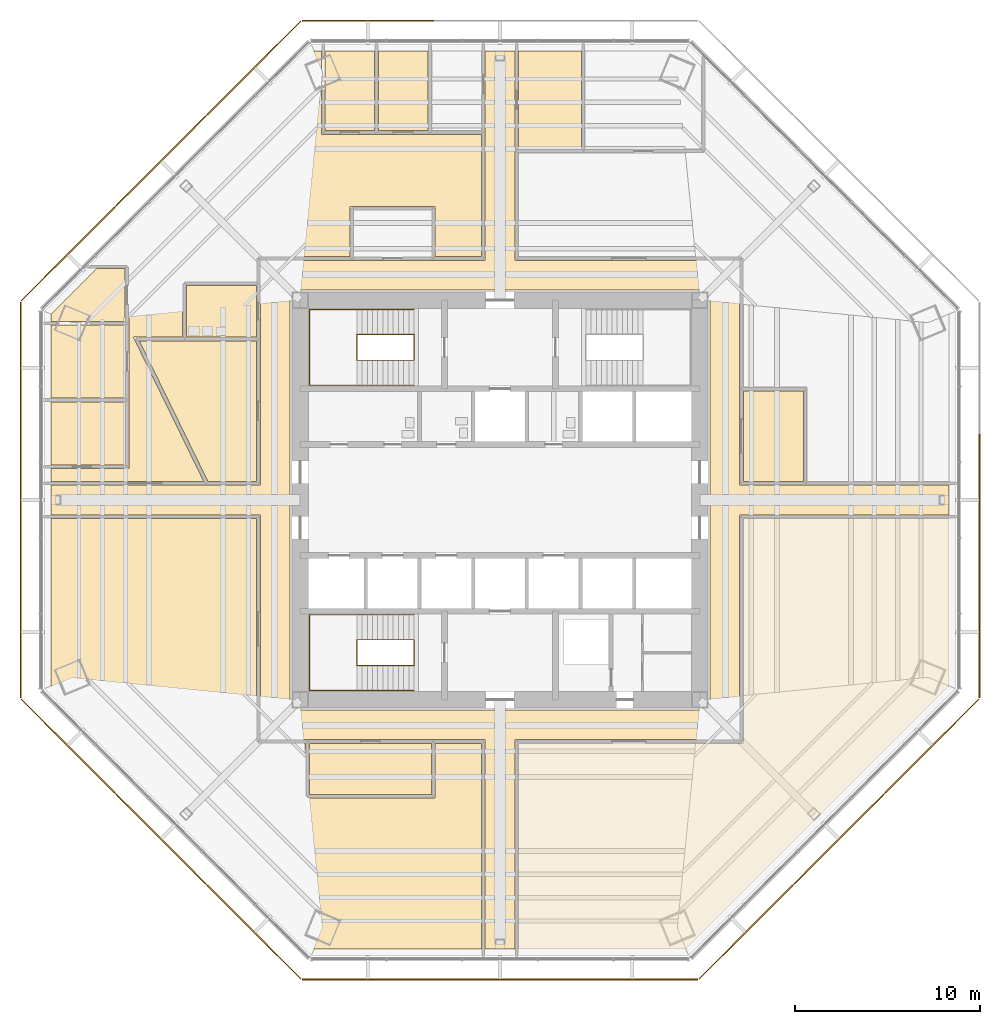
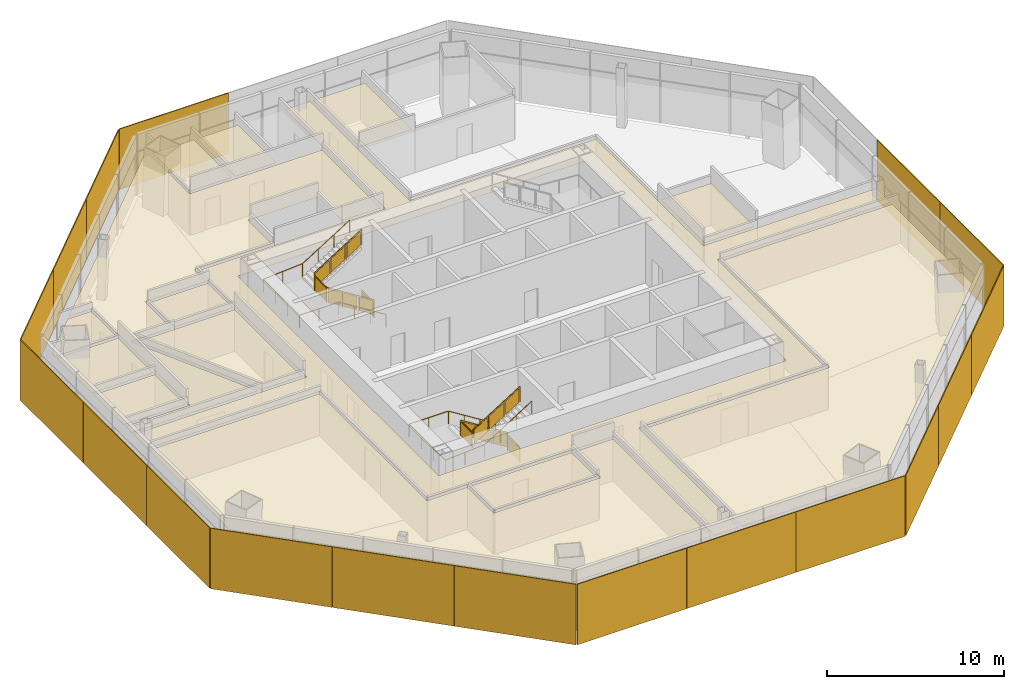
# One storey, part 12 of 14: 18 shading devices, 14 coverings, 4 railings.
"""IFC4 building model written with IfcOpenShell, lengths in metres."""

from ifc_helpers import new_model, si_unit, direction, frame, origin, origin_2d, place, context, subcontext, project, spatial, polyline, rectangle, circle, outline, extrude, source, transform, mapped, material, layer, layer_set, type_object, type_shapes, element, save


model = new_model("IFC4")

# Units and contexts
model_context = context("Model", 3, precision=1e-05, world=origin(), true_north=direction((0.0, 1.0)))
body_context = subcontext(model_context, "Body", "Model", "MODEL_VIEW")
ifc_project = project(units=[si_unit("LENGTHUNIT", "METRE"), si_unit("AREAUNIT", "SQUARE_METRE"), si_unit("VOLUMEUNIT", "CUBIC_METRE"), si_unit("PLANEANGLEUNIT", "RADIAN"), si_unit("MASSUNIT", "GRAM", prefix="KILO")], contexts=[model_context])

# Site, building, storey
site_placement = place(None, origin())
site = spatial("IfcSite", under=ifc_project, at=site_placement, CompositionType="ELEMENT")
building_placement = place(site_placement, origin())
building = spatial("IfcBuilding", under=site, at=building_placement, Name="Mashrafa Tower", CompositionType="ELEMENT")
storey_placement = place(building_placement, frame((0.0, 0.0, 113.39990234375)))
storey = spatial("IfcBuildingStorey", under=building, at=storey_placement, Name="L25", CompositionType="ELEMENT", Elevation=113.39990234375)

# Railings
ifc_material_1 = material(Name="Steel guard with glass infill", Category="steel")
railing_type_1 = type_object("IfcRailingType", Name="Stair guard 1100", PredefinedType="GUARDRAIL", material=ifc_material_1)
railing_1_placement = place(storey_placement, frame((-4.64990234375, 8.949951171875, 0.0)))
element("IfcRailing", 1, at=railing_1_placement, inside=storey, type_object=railing_type_1, Name="Stair S1 guard L25", PredefinedType="GUARDRAIL", context=body_context, shape_type="SweptSolid", body=[
    extrude(circle(Radius=0.02392578125, at=origin_2d()), frame((0.0, 0.0, 1.076171875), z_axis=(0.0, -1.0, 0.0), x_axis=(1.0, 0.0, 0.0)), (0.0, 0.0, 1.0), 1.39990234375),
    extrude(circle(Radius=0.02392578125, at=origin_2d()), frame((0.0, -1.39990234375, 1.076171875), z_axis=(0.0, 0.0, 1.0), x_axis=(1.0, 0.0, 0.0)), (0.0, 0.0, 1.0), 0.175048828125),
    extrude(circle(Radius=0.02392578125, at=origin_2d()), frame((0.0, -1.39990234375, 1.2509765625), z_axis=(-0.847998304005, 0.0, 0.529998940003), x_axis=(0.0, -1.0, 0.0)), (0.0, 0.0, 1.0), 3.632080078125),
    extrude(circle(Radius=0.02392578125, at=origin_2d()), frame((-3.080078125, -1.39990234375, 3.17626953125), z_axis=(0.0, 1.0, 0.0), x_axis=(-1.0, 0.0, 0.0)), (0.0, 0.0, 1.0), 1.39990234375),
    extrude(circle(Radius=0.02392578125, at=origin_2d()), frame((-3.080078125, 0.0, 3.17626953125), z_axis=(0.0, 0.0, 1.0), x_axis=(1.0, 0.0, 0.0)), (0.0, 0.0, 1.0), 0.175048828125),
    extrude(circle(Radius=0.02392578125, at=origin_2d()), frame((-3.080078125, 0.0, 3.35107421875), z_axis=(0.847998304005, 0.0, 0.529998940003), x_axis=(0.0, 1.0, 0.0)), (0.0, 0.0, 1.0), 3.632080078125),
    extrude(circle(Radius=0.02099609375, at=origin_2d()), origin(), (0.0, 0.0, 1.0), 1.052001953125),
    extrude(circle(Radius=0.02099609375, at=origin_2d()), frame((0.0, -1.39990234375, 0.0)), (0.0, 0.0, 1.0), 1.052001953125),
    extrude(circle(Radius=0.02099609375, at=origin_2d()), frame((0.0, -1.39990234375, 0.175048828125)), (0.0, 0.0, 1.0), 1.052001953125),
    extrude(circle(Radius=0.02099609375, at=origin_2d()), frame((-1.026611328125, -1.39990234375, 0.816650390625)), (0.0, 0.0, 1.0), 1.052001953125),
    extrude(circle(Radius=0.02099609375, at=origin_2d()), frame((-2.053466796875, -1.39990234375, 1.45849609375)), (0.0, 0.0, 1.0), 1.052001953125),
    extrude(circle(Radius=0.02099609375, at=origin_2d()), frame((-3.080078125, -1.39990234375, 2.10009765625)), (0.0, 0.0, 1.0), 1.052001953125),
    extrude(circle(Radius=0.02099609375, at=origin_2d()), frame((-3.080078125, 0.0, 2.10009765625)), (0.0, 0.0, 1.0), 1.052001953125),
    extrude(circle(Radius=0.02099609375, at=origin_2d()), frame((-3.080078125, 0.0, 2.275146484375)), (0.0, 0.0, 1.0), 1.052001953125),
    extrude(circle(Radius=0.02099609375, at=origin_2d()), frame((-2.053466796875, 0.0, 2.916748046875)), (0.0, 0.0, 1.0), 1.052001953125),
    extrude(circle(Radius=0.02099609375, at=origin_2d()), frame((-1.026611328125, 0.0, 3.55859375)), (0.0, 0.0, 1.0), 1.052001953125),
    extrude(circle(Radius=0.02099609375, at=origin_2d()), frame((0.0, 0.0, 4.2001953125)), (0.0, 0.0, 1.0), 1.052001953125),
    extrude(outline(polyline([(0.071044921875, 0.050048828125), (1.328857421875, 0.050048828125), (1.328857421875, 1.001953125), (0.071044921875, 1.001953125), (0.071044921875, 0.050048828125)])), frame((-0.006103515625, 0.0, 0.0), z_axis=(-1.0, 0.0, 0.0), x_axis=(0.0, -1.0, 0.0)), (0.0, 0.0, 1.0), 0.011962890625),
    extrude(outline(polyline([(0.071044921875, 0.094482421875), (0.955810546875, 0.647216796875), (0.955810546875, 1.599365234375), (0.071044921875, 1.04638671875), (0.071044921875, 0.094482421875)])), frame((0.0, -1.393798828125, 0.175048828125), z_axis=(0.0, 1.0, 0.0), x_axis=(-1.0, 0.0, 0.0)), (0.0, 0.0, 1.0), 0.011962890625),
    extrude(outline(polyline([(1.09765625, 0.736083984375), (1.982421875, 1.2890625), (1.982421875, 2.240966796875), (1.09765625, 1.68798828125), (1.09765625, 0.736083984375)])), frame((0.0, -1.393798828125, 0.175048828125), z_axis=(0.0, 1.0, 0.0), x_axis=(-1.0, 0.0, 0.0)), (0.0, 0.0, 1.0), 0.011962890625),
    extrude(outline(polyline([(2.124267578125, 1.377685546875), (3.009033203125, 1.9306640625), (3.009033203125, 2.882568359375), (2.124267578125, 2.329833984375), (2.124267578125, 1.377685546875)])), frame((0.0, -1.393798828125, 0.175048828125), z_axis=(0.0, 1.0, 0.0), x_axis=(-1.0, 0.0, 0.0)), (0.0, 0.0, 1.0), 0.011962890625),
    extrude(outline(polyline([(0.071044921875, 0.050048828125), (1.328857421875, 0.050048828125), (1.328857421875, 1.001953125), (0.071044921875, 1.001953125), (0.071044921875, 0.050048828125)])), frame((-3.073974609375, -1.39990234375, 2.10009765625), z_axis=(1.0, 0.0, 0.0), x_axis=(0.0, 1.0, 0.0)), (0.0, 0.0, 1.0), 0.011962890625),
    extrude(outline(polyline([(0.071044921875, 0.094482421875), (0.955810546875, 0.647216796875), (0.955810546875, 1.599365234375), (0.071044921875, 1.04638671875), (0.071044921875, 0.094482421875)])), frame((-3.080078125, -0.006103515625, 2.275146484375), z_axis=(0.0, -1.0, 0.0), x_axis=(1.0, 0.0, 0.0)), (0.0, 0.0, 1.0), 0.011962890625),
    extrude(outline(polyline([(1.09765625, 0.736083984375), (1.982421875, 1.2890625), (1.982421875, 2.240966796875), (1.09765625, 1.68798828125), (1.09765625, 0.736083984375)])), frame((-3.080078125, -0.006103515625, 2.275146484375), z_axis=(0.0, -1.0, 0.0), x_axis=(1.0, 0.0, 0.0)), (0.0, 0.0, 1.0), 0.011962890625),
    extrude(outline(polyline([(2.124267578125, 1.377685546875), (3.009033203125, 1.9306640625), (3.009033203125, 2.882568359375), (2.124267578125, 2.329833984375), (2.124267578125, 1.377685546875)])), frame((-3.080078125, -0.006103515625, 2.275146484375), z_axis=(0.0, -1.0, 0.0), x_axis=(1.0, 0.0, 0.0)), (0.0, 0.0, 1.0), 0.011962890625),
])
railing_2_placement = place(storey_placement, frame((-4.64990234375, -8.949951171875, 0.0)))
element("IfcRailing", 2, at=railing_2_placement, inside=storey, type_object=railing_type_1, Name="Stair S3 guard L25", PredefinedType="GUARDRAIL", context=body_context, shape_type="SweptSolid", body=[
    extrude(circle(Radius=0.02392578125, at=origin_2d()), frame((0.0, 0.0, 1.076171875), z_axis=(0.0, 1.0, 0.0), x_axis=(-1.0, 0.0, 0.0)), (0.0, 0.0, 1.0), 1.39990234375),
    extrude(circle(Radius=0.02392578125, at=origin_2d()), frame((0.0, 1.39990234375, 1.076171875), z_axis=(0.0, 0.0, 1.0), x_axis=(1.0, 0.0, 0.0)), (0.0, 0.0, 1.0), 0.175048828125),
    extrude(circle(Radius=0.02392578125, at=origin_2d()), frame((0.0, 1.39990234375, 1.2509765625), z_axis=(-0.847998304005, 0.0, 0.529998940003), x_axis=(0.0, -1.0, 0.0)), (0.0, 0.0, 1.0), 3.632080078125),
    extrude(circle(Radius=0.02392578125, at=origin_2d()), frame((-3.080078125, 1.39990234375, 3.17626953125), z_axis=(0.0, -1.0, 0.0), x_axis=(1.0, 0.0, 0.0)), (0.0, 0.0, 1.0), 1.39990234375),
    extrude(circle(Radius=0.02392578125, at=origin_2d()), frame((-3.080078125, 0.0, 3.17626953125), z_axis=(0.0, 0.0, 1.0), x_axis=(1.0, 0.0, 0.0)), (0.0, 0.0, 1.0), 0.175048828125),
    extrude(circle(Radius=0.02392578125, at=origin_2d()), frame((-3.080078125, 0.0, 3.35107421875), z_axis=(0.847998304005, 0.0, 0.529998940003), x_axis=(0.0, 1.0, 0.0)), (0.0, 0.0, 1.0), 3.632080078125),
    extrude(circle(Radius=0.02099609375, at=origin_2d()), origin(), (0.0, 0.0, 1.0), 1.052001953125),
    extrude(circle(Radius=0.02099609375, at=origin_2d()), frame((0.0, 1.39990234375, 0.0)), (0.0, 0.0, 1.0), 1.052001953125),
    extrude(circle(Radius=0.02099609375, at=origin_2d()), frame((0.0, 1.39990234375, 0.175048828125)), (0.0, 0.0, 1.0), 1.052001953125),
    extrude(circle(Radius=0.02099609375, at=origin_2d()), frame((-1.026611328125, 1.39990234375, 0.816650390625)), (0.0, 0.0, 1.0), 1.052001953125),
    extrude(circle(Radius=0.02099609375, at=origin_2d()), frame((-2.053466796875, 1.39990234375, 1.45849609375)), (0.0, 0.0, 1.0), 1.052001953125),
    extrude(circle(Radius=0.02099609375, at=origin_2d()), frame((-3.080078125, 1.39990234375, 2.10009765625)), (0.0, 0.0, 1.0), 1.052001953125),
    extrude(circle(Radius=0.02099609375, at=origin_2d()), frame((-3.080078125, 0.0, 2.10009765625)), (0.0, 0.0, 1.0), 1.052001953125),
    extrude(circle(Radius=0.02099609375, at=origin_2d()), frame((-3.080078125, 0.0, 2.275146484375)), (0.0, 0.0, 1.0), 1.052001953125),
    extrude(circle(Radius=0.02099609375, at=origin_2d()), frame((-2.053466796875, 0.0, 2.916748046875)), (0.0, 0.0, 1.0), 1.052001953125),
    extrude(circle(Radius=0.02099609375, at=origin_2d()), frame((-1.026611328125, 0.0, 3.55859375)), (0.0, 0.0, 1.0), 1.052001953125),
    extrude(circle(Radius=0.02099609375, at=origin_2d()), frame((0.0, 0.0, 4.2001953125)), (0.0, 0.0, 1.0), 1.052001953125),
    extrude(outline(polyline([(0.071044921875, 0.050048828125), (1.328857421875, 0.050048828125), (1.328857421875, 1.001953125), (0.071044921875, 1.001953125), (0.071044921875, 0.050048828125)])), frame((0.006103515625, 0.0, 0.0), z_axis=(1.0, 0.0, 0.0), x_axis=(0.0, 1.0, 0.0)), (0.0, 0.0, 1.0), 0.011962890625),
    extrude(outline(polyline([(0.071044921875, 0.094482421875), (0.955810546875, 0.647216796875), (0.955810546875, 1.599365234375), (0.071044921875, 1.04638671875), (0.071044921875, 0.094482421875)])), frame((0.0, 1.406005859375, 0.175048828125), z_axis=(0.0, 1.0, 0.0), x_axis=(-1.0, 0.0, 0.0)), (0.0, 0.0, 1.0), 0.011962890625),
    extrude(outline(polyline([(1.09765625, 0.736083984375), (1.982421875, 1.2890625), (1.982421875, 2.240966796875), (1.09765625, 1.68798828125), (1.09765625, 0.736083984375)])), frame((0.0, 1.406005859375, 0.175048828125), z_axis=(0.0, 1.0, 0.0), x_axis=(-1.0, 0.0, 0.0)), (0.0, 0.0, 1.0), 0.011962890625),
    extrude(outline(polyline([(2.124267578125, 1.377685546875), (3.009033203125, 1.9306640625), (3.009033203125, 2.882568359375), (2.124267578125, 2.329833984375), (2.124267578125, 1.377685546875)])), frame((0.0, 1.406005859375, 0.175048828125), z_axis=(0.0, 1.0, 0.0), x_axis=(-1.0, 0.0, 0.0)), (0.0, 0.0, 1.0), 0.011962890625),
    extrude(outline(polyline([(0.071044921875, 0.050048828125), (1.328857421875, 0.050048828125), (1.328857421875, 1.001953125), (0.071044921875, 1.001953125), (0.071044921875, 0.050048828125)])), frame((-3.086181640625, 1.39990234375, 2.10009765625), z_axis=(-1.0, 0.0, 0.0), x_axis=(0.0, -1.0, 0.0)), (0.0, 0.0, 1.0), 0.011962890625),
    extrude(outline(polyline([(0.071044921875, 0.094482421875), (0.955810546875, 0.647216796875), (0.955810546875, 1.599365234375), (0.071044921875, 1.04638671875), (0.071044921875, 0.094482421875)])), frame((-3.080078125, -0.006103515625, 2.275146484375), z_axis=(0.0, -1.0, 0.0), x_axis=(1.0, 0.0, 0.0)), (0.0, 0.0, 1.0), 0.011962890625),
    extrude(outline(polyline([(1.09765625, 0.736083984375), (1.982421875, 1.2890625), (1.982421875, 2.240966796875), (1.09765625, 1.68798828125), (1.09765625, 0.736083984375)])), frame((-3.080078125, -0.006103515625, 2.275146484375), z_axis=(0.0, -1.0, 0.0), x_axis=(1.0, 0.0, 0.0)), (0.0, 0.0, 1.0), 0.011962890625),
    extrude(outline(polyline([(2.124267578125, 1.377685546875), (3.009033203125, 1.9306640625), (3.009033203125, 2.882568359375), (2.124267578125, 2.329833984375), (2.124267578125, 1.377685546875)])), frame((-3.080078125, -0.006103515625, 2.275146484375), z_axis=(0.0, -1.0, 0.0), x_axis=(1.0, 0.0, 0.0)), (0.0, 0.0, 1.0), 0.011962890625),
])
ifc_material_2 = material(Name="Steel", Category="steel")
railing_type_2 = type_object("IfcRailingType", Name="Stair handrail 900", PredefinedType="HANDRAIL", material=ifc_material_2)
railing_3_placement = place(storey_placement, frame((-4.64990234375, 6.199951171875, 0.175048828125)))
element("IfcRailing", 3, at=railing_3_placement, inside=storey, type_object=railing_type_2, Name="Stair S1 handrail L25", PredefinedType="HANDRAIL", context=body_context, shape_type="SweptSolid", body=[
    extrude(circle(Radius=0.02392578125, at=origin_2d()), frame((0.0, 0.0, 0.8759765625), z_axis=(-0.847998304005, 0.0, 0.529998940003), x_axis=(0.0, -1.0, 0.0)), (0.0, 0.0, 1.0), 3.632080078125),
    extrude(circle(Radius=0.02392578125, at=origin_2d()), frame((-3.080078125, 0.0, 2.80078125), z_axis=(-1.0, 0.0, 0.0), x_axis=(0.0, -1.0, 0.0)), (0.0, 0.0, 1.0), 2.570068359375),
    extrude(circle(Radius=0.02392578125, at=origin_2d()), frame((-5.650146484375, 0.0, 2.80078125), z_axis=(0.0, 1.0, 0.0), x_axis=(-1.0, 0.0, 0.0)), (0.0, 0.0, 1.0), 4.10009765625),
    extrude(circle(Radius=0.02392578125, at=origin_2d()), frame((-5.650146484375, 4.10009765625, 2.80078125), z_axis=(0.997688514158, 0.0, 0.067953136188), x_axis=(0.0, 1.0, 0.0)), (0.0, 0.0, 1.0), 2.575927734375),
    extrude(circle(Radius=0.02392578125, at=origin_2d()), frame((-3.080078125, 4.10009765625, 2.97607421875), z_axis=(0.847998304005, 0.0, 0.529998940003), x_axis=(0.0, 1.0, 0.0)), (0.0, 0.0, 1.0), 3.632080078125),
    extrude(circle(Radius=0.02099609375, at=origin_2d()), origin(), (0.0, 0.0, 1.0), 0.851806640625),
    extrude(circle(Radius=0.02099609375, at=origin_2d()), frame((-1.026611328125, 0.0, 0.6416015625)), (0.0, 0.0, 1.0), 0.851806640625),
    extrude(circle(Radius=0.02099609375, at=origin_2d()), frame((-2.053466796875, 0.0, 1.283447265625)), (0.0, 0.0, 1.0), 0.851806640625),
    extrude(circle(Radius=0.02099609375, at=origin_2d()), frame((-3.080078125, 0.0, 1.925048828125)), (0.0, 0.0, 1.0), 0.851806640625),
    extrude(circle(Radius=0.02099609375, at=origin_2d()), frame((-4.365234375, 0.0, 1.925048828125)), (0.0, 0.0, 1.0), 0.851806640625),
    extrude(circle(Radius=0.02099609375, at=origin_2d()), frame((-5.650146484375, 0.0, 1.925048828125)), (0.0, 0.0, 1.0), 0.851806640625),
    extrude(circle(Radius=0.02099609375, at=origin_2d()), frame((-5.650146484375, 1.36669921875, 1.925048828125)), (0.0, 0.0, 1.0), 0.851806640625),
    extrude(circle(Radius=0.02099609375, at=origin_2d()), frame((-5.650146484375, 2.7333984375, 1.925048828125)), (0.0, 0.0, 1.0), 0.851806640625),
    extrude(circle(Radius=0.02099609375, at=origin_2d()), frame((-5.650146484375, 4.10009765625, 1.925048828125)), (0.0, 0.0, 1.0), 0.851806640625),
    extrude(circle(Radius=0.02099609375, at=origin_2d()), frame((-4.365234375, 4.10009765625, 2.0126953125)), (0.0, 0.0, 1.0), 0.851806640625),
    extrude(circle(Radius=0.02099609375, at=origin_2d()), frame((-3.080078125, 4.10009765625, 2.10009765625)), (0.0, 0.0, 1.0), 0.851806640625),
    extrude(circle(Radius=0.02099609375, at=origin_2d()), frame((-2.053466796875, 4.10009765625, 2.74169921875)), (0.0, 0.0, 1.0), 0.851806640625),
    extrude(circle(Radius=0.02099609375, at=origin_2d()), frame((-1.026611328125, 4.10009765625, 3.383544921875)), (0.0, 0.0, 1.0), 0.851806640625),
    extrude(circle(Radius=0.02099609375, at=origin_2d()), frame((0.0, 4.10009765625, 4.025146484375)), (0.0, 0.0, 1.0), 0.851806640625),
])
railing_4_placement = place(storey_placement, frame((-4.64990234375, -6.199951171875, 0.175048828125)))
element("IfcRailing", 4, at=railing_4_placement, inside=storey, type_object=railing_type_2, Name="Stair S3 handrail L25", PredefinedType="HANDRAIL", context=body_context, shape_type="SweptSolid", body=[
    extrude(circle(Radius=0.02392578125, at=origin_2d()), frame((0.0, 0.0, 0.8759765625), z_axis=(-0.847998304005, 0.0, 0.529998940003), x_axis=(0.0, -1.0, 0.0)), (0.0, 0.0, 1.0), 3.632080078125),
    extrude(circle(Radius=0.02392578125, at=origin_2d()), frame((-3.080078125, 0.0, 2.80078125), z_axis=(-1.0, 0.0, 0.0), x_axis=(0.0, -1.0, 0.0)), (0.0, 0.0, 1.0), 2.570068359375),
    extrude(circle(Radius=0.02392578125, at=origin_2d()), frame((-5.650146484375, 0.0, 2.80078125), z_axis=(0.0, -1.0, 0.0), x_axis=(1.0, 0.0, 0.0)), (0.0, 0.0, 1.0), 4.10009765625),
    extrude(circle(Radius=0.02392578125, at=origin_2d()), frame((-5.650146484375, -4.10009765625, 2.80078125), z_axis=(0.997688514158, 0.0, 0.067953136188), x_axis=(0.0, 1.0, 0.0)), (0.0, 0.0, 1.0), 2.575927734375),
    extrude(circle(Radius=0.02392578125, at=origin_2d()), frame((-3.080078125, -4.10009765625, 2.97607421875), z_axis=(0.847998304005, 0.0, 0.529998940003), x_axis=(0.0, 1.0, 0.0)), (0.0, 0.0, 1.0), 3.632080078125),
    extrude(circle(Radius=0.02099609375, at=origin_2d()), origin(), (0.0, 0.0, 1.0), 0.851806640625),
    extrude(circle(Radius=0.02099609375, at=origin_2d()), frame((-1.026611328125, 0.0, 0.6416015625)), (0.0, 0.0, 1.0), 0.851806640625),
    extrude(circle(Radius=0.02099609375, at=origin_2d()), frame((-2.053466796875, 0.0, 1.283447265625)), (0.0, 0.0, 1.0), 0.851806640625),
    extrude(circle(Radius=0.02099609375, at=origin_2d()), frame((-3.080078125, 0.0, 1.925048828125)), (0.0, 0.0, 1.0), 0.851806640625),
    extrude(circle(Radius=0.02099609375, at=origin_2d()), frame((-4.365234375, 0.0, 1.925048828125)), (0.0, 0.0, 1.0), 0.851806640625),
    extrude(circle(Radius=0.02099609375, at=origin_2d()), frame((-5.650146484375, 0.0, 1.925048828125)), (0.0, 0.0, 1.0), 0.851806640625),
    extrude(circle(Radius=0.02099609375, at=origin_2d()), frame((-5.650146484375, -1.36669921875, 1.925048828125)), (0.0, 0.0, 1.0), 0.851806640625),
    extrude(circle(Radius=0.02099609375, at=origin_2d()), frame((-5.650146484375, -2.7333984375, 1.925048828125)), (0.0, 0.0, 1.0), 0.851806640625),
    extrude(circle(Radius=0.02099609375, at=origin_2d()), frame((-5.650146484375, -4.10009765625, 1.925048828125)), (0.0, 0.0, 1.0), 0.851806640625),
    extrude(circle(Radius=0.02099609375, at=origin_2d()), frame((-4.365234375, -4.10009765625, 2.0126953125)), (0.0, 0.0, 1.0), 0.851806640625),
    extrude(circle(Radius=0.02099609375, at=origin_2d()), frame((-3.080078125, -4.10009765625, 2.10009765625)), (0.0, 0.0, 1.0), 0.851806640625),
    extrude(circle(Radius=0.02099609375, at=origin_2d()), frame((-2.053466796875, -4.10009765625, 2.74169921875)), (0.0, 0.0, 1.0), 0.851806640625),
    extrude(circle(Radius=0.02099609375, at=origin_2d()), frame((-1.026611328125, -4.10009765625, 3.383544921875)), (0.0, 0.0, 1.0), 0.851806640625),
    extrude(circle(Radius=0.02099609375, at=origin_2d()), frame((0.0, -4.10009765625, 4.025146484375)), (0.0, 0.0, 1.0), 0.851806640625),
])

# Coverings
ifc_material_3 = material(Name="Mineral fibre tile on suspension grid")
ifc_layer_1 = layer(ifc_material_3, 0.014892578125)
ifc_layer_set_1 = layer_set([ifc_layer_1], Name="Suspended ceiling mineral tile 15")
covering_type = type_object("IfcCoveringType", Name="Suspended ceiling mineral tile 15", PredefinedType="CEILING", material=ifc_layer_set_1)
covering_1_placement = place(storey_placement, frame((0.0, 0.0, 2.900146484375)))
element("IfcCovering", 5, at=covering_1_placement, inside=storey, type_object=covering_type, Name="Ceiling Office Corridor L25", PredefinedType="CEILING", context=body_context, shape_type="SweptSolid", body=[
    extrude(outline(polyline([(-12.949951171875, -12.949951171875), (-12.949951171875, -0.800048828125), (-24.2568359375, -0.800048828125), (-24.2568359375, 0.800048828125), (-12.949951171875, 0.800048828125), (-12.949951171875, 12.949951171875), (-0.800048828125, 12.949951171875), (-0.800048828125, 24.2568359375), (0.800048828125, 24.2568359375), (0.800048828125, 12.949951171875), (12.949951171875, 12.949951171875), (12.949951171875, 0.800048828125), (24.2568359375, 0.800048828125), (24.2568359375, -0.800048828125), (12.949951171875, -0.800048828125), (12.949951171875, -12.949951171875), (0.800048828125, -12.949951171875), (0.800048828125, -24.2568359375), (-0.800048828125, -24.2568359375), (-0.800048828125, -12.949951171875), (-12.949951171875, -12.949951171875)]), holes=[polyline([(11.35009765625, 11.35009765625), (-11.35009765625, 11.35009765625), (-11.35009765625, -11.35009765625), (11.35009765625, -11.35009765625), (11.35009765625, 11.35009765625)])]), origin(), (0.0, 0.0, 1.0), 0.014892578125),
])
covering_2_placement = place(storey_placement, frame((0.0, 0.0, 2.900146484375)))
element("IfcCovering", 6, at=covering_2_placement, inside=storey, type_object=covering_type, Name="Ceiling Musallah Prayer Room 25", PredefinedType="CEILING", context=body_context, shape_type="SweptSolid", body=[
    extrude(outline(polyline([(-15.783203125, 1.0), (-19.489990234375, 8.60009765625), (-13.14990234375, 8.60009765625), (-13.14990234375, 1.0), (-15.783203125, 1.0)])), origin(), (0.0, 0.0, 1.0), 0.014892578125),
])
covering_3_placement = place(storey_placement, frame((0.0, 0.0, 2.900146484375)))
element("IfcCovering", 7, at=covering_3_placement, inside=storey, type_object=covering_type, Name="Ceiling Ablution Room L25", PredefinedType="CEILING", context=body_context, shape_type="SweptSolid", body=[
    extrude(outline(polyline([(-16.949951171875, 8.800048828125), (-16.949951171875, 11.60009765625), (-13.14990234375, 11.60009765625), (-13.14990234375, 8.800048828125), (-16.949951171875, 8.800048828125)])), origin(), (0.0, 0.0, 1.0), 0.014892578125),
])
covering_4_placement = place(storey_placement, frame((0.0, 0.0, 2.900146484375)))
element("IfcCovering", 8, at=covering_4_placement, inside=storey, type_object=covering_type, Name="Ceiling Reception Majlis 25", PredefinedType="CEILING", context=body_context, shape_type="SweptSolid", body=[
    extrude(outline(polyline([(13.14990234375, 5.89990234375), (16.39990234375, 5.89990234375), (16.39990234375, 1.0), (13.14990234375, 1.0), (13.14990234375, 5.89990234375)])), origin(), (0.0, 0.0, 1.0), 0.014892578125),
])
covering_5_placement = place(storey_placement, frame((0.0, 0.0, 2.900146484375)))
element("IfcCovering", 9, at=covering_5_placement, inside=storey, type_object=covering_type, Name="Ceiling Secretary's Office 25", PredefinedType="CEILING", context=body_context, shape_type="SweptSolid", body=[
    extrude(outline(polyline([(1.0, 24.2568359375), (4.39990234375, 24.2568359375), (4.39990234375, 18.956787109375), (1.0, 18.956787109375), (1.0, 24.2568359375)])), origin(), (0.0, 0.0, 1.0), 0.014892578125),
])
covering_6_placement = place(storey_placement, frame((0.0, 0.0, 2.900146484375)))
element("IfcCovering", 10, at=covering_6_placement, inside=storey, type_object=covering_type, Name="Ceiling Records Office 25", PredefinedType="CEILING", context=body_context, shape_type="SweptSolid", body=[
    extrude(outline(polyline([(-10.300048828125, -13.14990234375), (-3.699951171875, -13.14990234375), (-3.699951171875, -15.89990234375), (-10.300048828125, -15.89990234375), (-10.300048828125, -13.14990234375)])), origin(), (0.0, 0.0, 1.0), 0.014892578125),
])
covering_7_placement = place(storey_placement, frame((0.0, 0.0, 2.900146484375)))
element("IfcCovering", 11, at=covering_7_placement, inside=storey, type_object=covering_type, Name="Ceiling Case Officer's Office 25-NW-1", PredefinedType="CEILING", context=body_context, shape_type="SweptSolid", body=[
    extrude(outline(polyline([(-20.2568359375, 12.5), (-20.2568359375, 9.656005859375), (-24.2568359375, 9.656005859375), (-24.2568359375, 10.047607421875), (-21.80419921875, 12.5), (-20.2568359375, 12.5)])), origin(), (0.0, 0.0, 1.0), 0.014892578125),
])
covering_8_placement = place(storey_placement, frame((0.0, 0.0, 2.900146484375)))
element("IfcCovering", 12, at=covering_8_placement, inside=storey, type_object=covering_type, Name="Ceiling Case Officer's Office 25-NW-2", PredefinedType="CEILING", context=body_context, shape_type="SweptSolid", body=[
    extrude(outline(polyline([(-20.2568359375, 9.4560546875), (-20.2568359375, 5.5), (-24.2568359375, 5.5), (-24.2568359375, 9.4560546875), (-20.2568359375, 9.4560546875)])), origin(), (0.0, 0.0, 1.0), 0.014892578125),
])
covering_9_placement = place(storey_placement, frame((0.0, 0.0, 2.900146484375)))
element("IfcCovering", 13, at=covering_9_placement, inside=storey, type_object=covering_type, Name="Ceiling Case Officer's Office 25-NW-3", PredefinedType="CEILING", context=body_context, shape_type="SweptSolid", body=[
    extrude(outline(polyline([(-20.2568359375, 5.300048828125), (-20.2568359375, 1.89990234375), (-24.2568359375, 1.89990234375), (-24.2568359375, 5.300048828125), (-20.2568359375, 5.300048828125)])), origin(), (0.0, 0.0, 1.0), 0.014892578125),
])
covering_10_placement = place(storey_placement, frame((0.0, 0.0, 2.900146484375)))
element("IfcCovering", 14, at=covering_10_placement, inside=storey, type_object=covering_type, Name="Ceiling Meeting Room 25-NW-1", PredefinedType="CEILING", context=body_context, shape_type="SweptSolid", body=[
    extrude(outline(polyline([(-6.571044921875, 24.2568359375), (-3.885009765625, 24.2568359375), (-3.885009765625, 19.956787109375), (-6.571044921875, 19.956787109375), (-6.571044921875, 24.2568359375)])), origin(), (0.0, 0.0, 1.0), 0.014892578125),
])
covering_11_placement = place(storey_placement, frame((0.0, 0.0, 2.900146484375)))
element("IfcCovering", 15, at=covering_11_placement, inside=storey, type_object=covering_type, Name="Ceiling Meeting Room 25-NW-2", PredefinedType="CEILING", context=body_context, shape_type="SweptSolid", body=[
    extrude(outline(polyline([(-9.4560546875, 24.2568359375), (-6.77099609375, 24.2568359375), (-6.77099609375, 19.956787109375), (-9.4560546875, 19.956787109375), (-9.4560546875, 24.2568359375)])), origin(), (0.0, 0.0, 1.0), 0.014892578125),
])
covering_12_placement = place(storey_placement, frame((0.0, 0.0, 2.900146484375)))
element("IfcCovering", 16, at=covering_12_placement, inside=storey, type_object=covering_type, Name="Ceiling Policy and Programmes Office 25-NW", PredefinedType="CEILING", context=body_context, shape_type="SweptSolid", body=[
    extrude(outline(polyline([(-24.2568359375, 1.0), (-24.2568359375, 1.699951171875), (-20.056884765625, 1.699951171875), (-20.056884765625, 12.699951171875), (-21.604248046875, 12.699951171875), (-10.047607421875, 24.2568359375), (-9.656005859375, 24.2568359375), (-9.656005859375, 19.7568359375), (-1.0, 19.7568359375), (-1.0, 13.14990234375), (-3.5, 13.14990234375), (-3.5, 15.85009765625), (-8.10009765625, 15.85009765625), (-8.10009765625, 13.14990234375), (-13.14990234375, 13.14990234375), (-13.14990234375, 11.800048828125), (-17.14990234375, 11.800048828125), (-17.14990234375, 8.800048828125), (-19.81005859375, 8.800048828125), (-16.005615234375, 1.0), (-24.2568359375, 1.0)])), origin(), (0.0, 0.0, 1.0), 0.014892578125),
])
covering_13_placement = place(storey_placement, frame((0.0, 0.0, 2.900146484375)))
element("IfcCovering", 17, at=covering_13_placement, inside=storey, type_object=covering_type, Name="Ceiling Licensing Office 25-SW", PredefinedType="CEILING", context=body_context, shape_type="SweptSolid", body=[
    extrude(outline(polyline([(-1.0, -24.2568359375), (-10.047607421875, -24.2568359375), (-24.2568359375, -10.047607421875), (-24.2568359375, -1.0), (-13.14990234375, -1.0), (-13.14990234375, -13.14990234375), (-10.5, -13.14990234375), (-10.5, -16.10009765625), (-3.5, -16.10009765625), (-3.5, -13.14990234375), (-1.0, -13.14990234375), (-1.0, -24.2568359375)])), origin(), (0.0, 0.0, 1.0), 0.014892578125),
])
covering_14_placement = place(storey_placement, frame((0.0, 0.0, 2.900146484375)))
element("IfcCovering", 18, at=covering_14_placement, inside=storey, type_object=covering_type, Name="Ceiling Programme Delivery Office 25-SE", PredefinedType="CEILING", context=body_context, shape_type="SweptSolid", body=[
    extrude(outline(polyline([(24.2568359375, -1.0), (24.2568359375, -10.047607421875), (10.047607421875, -24.2568359375), (1.0, -24.2568359375), (1.0, -13.14990234375), (13.14990234375, -13.14990234375), (13.14990234375, -1.0), (24.2568359375, -1.0)])), origin(), (0.0, 0.0, 1.0), 0.014892578125),
])

# Shading devices
ifc_material_4 = material(Name="Perforated aluminium plate, eight-point star pattern", Category="aluminium")
ifc_layer_2 = layer(ifc_material_4, 0.06005859375)
ifc_layer_set_2 = layer_set([ifc_layer_2], Name="Mashrabiya screen panel office zone 2, 40 percent open")
shading_device_type = type_object("IfcShadingDeviceType", Name="Mashrabiya screen panel office zone 2, 40 percent open", PredefinedType="SHUTTER", material=ifc_layer_set_2)
shared_shape = source(origin(), body_context, "Body", "SweptSolid", [
    extrude(rectangle(XDim=7.118896484375, YDim=0.06005859375, at=origin_2d()), origin(), (0.0, 0.0, 1.0), 4.179931640625),
])
type_shapes(shading_device_type, [shared_shape])
for number, where, z_axis, x_axis, name in (
    (19, (25.90673828125, -7.138916015625, -0.14990234375), (0.0, 0.0, 1.0), (0.0, 1.0, 0.0), "Mashrabiya screen L25 east 1"),
    (20, (25.90673828125, 0.0, -0.14990234375), (0.0, 0.0, 1.0), (0.0, 1.0, 0.0), "Mashrabiya screen L25 east 2"),
    (21, (-7.138916015625, 25.90673828125, -0.14990234375), (0.0, 0.0, 1.0), (-1.0, 0.0, 0.0), "Mashrabiya screen L25 north 3"),
    (22, (-13.270751953125, 23.366943359375, -0.14990234375), (0.0, 0.0, 1.0), (-0.707106781187, -0.707106781187, 0.0), "Mashrabiya screen L25 north-west 1"),
    (23, (-18.31884765625, 18.31884765625, -0.14990234375), (0.0, 0.0, 1.0), (-0.707106781187, -0.707106781187, 0.0), "Mashrabiya screen L25 north-west 2"),
    (24, (-23.366943359375, 13.270751953125, -0.14990234375), (0.0, 0.0, 1.0), (-0.707106781187, -0.707106781187, 0.0), "Mashrabiya screen L25 north-west 3"),
    (25, (-25.90673828125, 7.138916015625, -0.14990234375), (0.0, 0.0, 1.0), (0.0, -1.0, 0.0), "Mashrabiya screen L25 west 1"),
    (26, (-25.90673828125, 0.0, -0.14990234375), (0.0, 0.0, 1.0), (0.0, -1.0, 0.0), "Mashrabiya screen L25 west 2"),
    (27, (-25.90673828125, -7.138916015625, -0.14990234375), (0.0, 0.0, 1.0), (0.0, -1.0, 0.0), "Mashrabiya screen L25 west 3"),
    (28, (-23.366943359375, -13.270751953125, -0.14990234375), (0.0, 0.0, 1.0), (0.707106781187, -0.707106781187, 0.0), "Mashrabiya screen L25 south-west 1"),
    (29, (-18.31884765625, -18.31884765625, -0.14990234375), (0.0, 0.0, 1.0), (0.707106781187, -0.707106781187, 0.0), "Mashrabiya screen L25 south-west 2"),
    (30, (-13.270751953125, -23.366943359375, -0.14990234375), (0.0, 0.0, 1.0), (0.707106781187, -0.707106781187, 0.0), "Mashrabiya screen L25 south-west 3"),
    (31, (-7.138916015625, -25.90673828125, -0.14990234375), (0.0, 0.0, 1.0), (1.0, 0.0, 0.0), "Mashrabiya screen L25 south 1"),
    (32, (0.0, -25.90673828125, -0.14990234375), (0.0, 0.0, 1.0), (1.0, 0.0, 0.0), "Mashrabiya screen L25 south 2"),
    (33, (7.138916015625, -25.90673828125, -0.14990234375), (0.0, 0.0, 1.0), (1.0, 0.0, 0.0), "Mashrabiya screen L25 south 3"),
    (34, (13.270751953125, -23.366943359375, -0.14990234375), (0.0, 0.0, 1.0), (0.707106781187, 0.707106781187, 0.0), "Mashrabiya screen L25 south-east 1"),
    (35, (18.31884765625, -18.31884765625, -0.14990234375), (0.0, 0.0, 1.0), (0.707106781187, 0.707106781187, 0.0), "Mashrabiya screen L25 south-east 2"),
    (36, (23.366943359375, -13.270751953125, -0.14990234375), (0.0, 0.0, 1.0), (0.707106781187, 0.707106781187, 0.0), "Mashrabiya screen L25 south-east 3"),
):
    element("IfcShadingDevice", number, at=place(storey_placement, frame(where, z_axis=z_axis, x_axis=x_axis)), inside=storey, type_object=shading_device_type, Name=name, PredefinedType="SHUTTER", context=body_context, shape_type="MappedRepresentation", body=[
        mapped(shared_shape, transform((0.0, 0.0, 0.0))),
    ])

save(model, "model.ifc")
